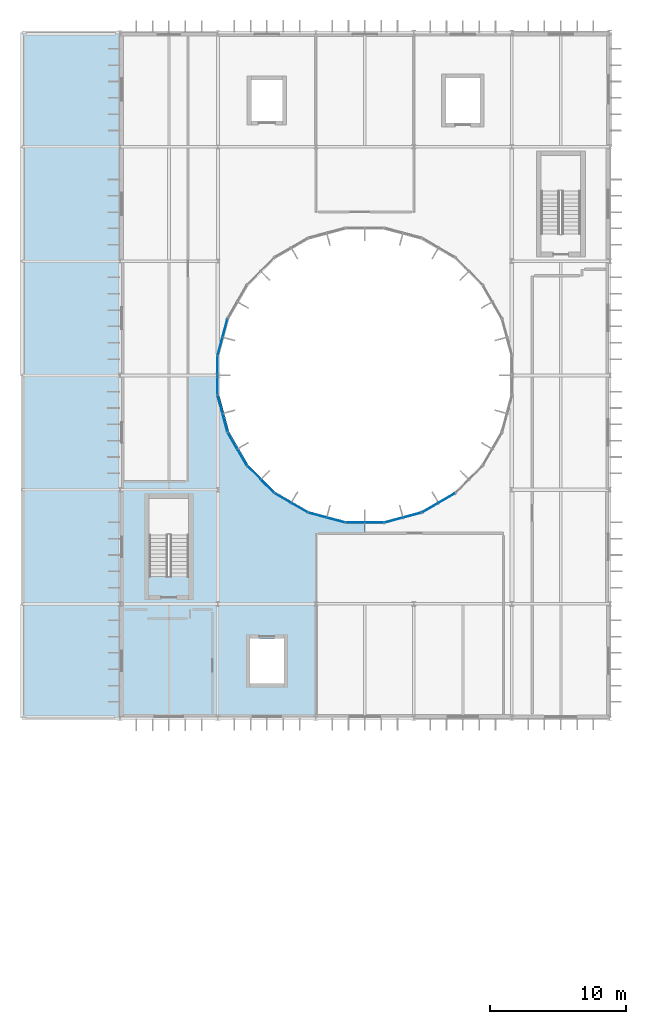
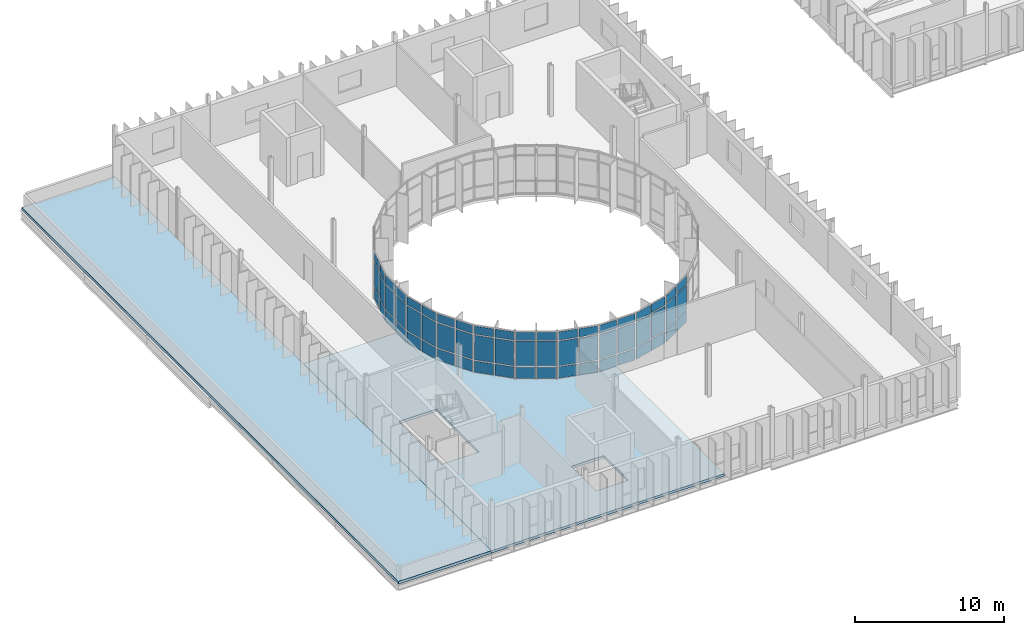
# One storey, part 28 of 52: 60 plates, 2 slabs, 10 elements without a shape of their own.
"""IFC4 building model written with IfcOpenShell, lengths in metres."""

from ifc_helpers import new_model, si_unit, direction, frame, origin, origin_2d, place, context, subcontext, project, spatial, polyline, rectangle, outline, extrude, material, layer, layer_set, type_object, element, aggregate, save


model = new_model("IFC4")

# Units and contexts
model_context = context("Model", 3, precision=1e-05, world=origin(), true_north=direction((0.0, 1.0)))
body_context = subcontext(model_context, "Body", "Model", "MODEL_VIEW")
ifc_project = project(units=[si_unit("LENGTHUNIT", "METRE"), si_unit("AREAUNIT", "SQUARE_METRE"), si_unit("VOLUMEUNIT", "CUBIC_METRE"), si_unit("PLANEANGLEUNIT", "RADIAN"), si_unit("MASSUNIT", "GRAM", prefix="KILO")], contexts=[model_context])

# Site, building, storey
site_placement = place(None, origin())
site = spatial("IfcSite", under=ifc_project, at=site_placement, CompositionType="ELEMENT")
building_placement = place(site_placement, origin())
building = spatial("IfcBuilding", under=site, at=building_placement, Name="Qelthora Terrace Specialist Clinic", CompositionType="ELEMENT")
storey_placement = place(building_placement, frame((0.0, 0.0, 17.39990234375)))
storey = spatial("IfcBuildingStorey", under=building, at=storey_placement, Name="L04", CompositionType="ELEMENT", Elevation=17.39990234375)

# Curtain wall, plates
ifc_material_1 = material(Name="Aluminium anodized bronze", Category="aluminium")
curtain_wall_type = type_object("IfcCurtainWallType", Name="CW-CRTW-UPP", PredefinedType="NOTDEFINED", material=ifc_material_1)
curtain_wall_1_placement = place(storey_placement, origin())
curtain_wall_1 = element("IfcCurtainWall", 1, at=curtain_wall_1_placement, inside=storey, type_object=curtain_wall_type, Name="Curtain wall CW-CW-L04-11", PredefinedType="NOTDEFINED")
ifc_material_2 = material(Name="Low-E triple-silver insulating glass", Category="glass")
ifc_layer_1 = layer(ifc_material_2, 0.035888671875)
ifc_layer_set_1 = layer_set([ifc_layer_1], Name="Low-E triple-silver insulating glass")
plate_type = type_object("IfcPlateType", Name="CWP-IGU-36", PredefinedType="CURTAIN_PANEL", material=ifc_layer_set_1)
plate_1_placement = place(storey_placement, frame((14.923828125, 87.483154296875, 0.085205078125), z_axis=(0.0, 0.0, 1.0), x_axis=(-0.258820730961, -0.965925374563, 0.0)))
plate_1 = element("IfcPlate", 2, at=plate_1_placement, type_object=plate_type, Name="CW-CW-L04-11 glazed panel 1", PredefinedType="CURTAIN_PANEL", context=body_context, shape_type="SweptSolid", body=[
    extrude(rectangle(XDim=1.3095703125, YDim=0.035888671875, at=origin_2d()), origin(), (0.0, 0.0, 1.0), 0.919921875),
])
plate_2_placement = place(storey_placement, frame((14.923828125, 87.483154296875, 1.09521484375), z_axis=(0.0, 0.0, 1.0), x_axis=(-0.258820730961, -0.965925374563, 0.0)))
plate_2 = element("IfcPlate", 3, at=plate_2_placement, type_object=plate_type, Name="CW-CW-L04-11 glazed panel 2", PredefinedType="CURTAIN_PANEL", context=body_context, shape_type="SweptSolid", body=[
    extrude(rectangle(XDim=1.3095703125, YDim=0.035888671875, at=origin_2d()), origin(), (0.0, 0.0, 1.0), 2.0048828125),
])
plate_3_placement = place(storey_placement, frame((14.923828125, 87.483154296875, 3.190185546875), z_axis=(0.0, 0.0, 1.0), x_axis=(-0.258820730961, -0.965925374563, 0.0)))
plate_3 = element("IfcPlate", 4, at=plate_3_placement, type_object=plate_type, Name="CW-CW-L04-11 glazed panel 3", PredefinedType="CURTAIN_PANEL", context=body_context, shape_type="SweptSolid", body=[
    extrude(rectangle(XDim=1.3095703125, YDim=0.035888671875, at=origin_2d()), origin(), (0.0, 0.0, 1.0), 0.669921875),
])
plate_4_placement = place(storey_placement, frame((14.558837890625, 86.12158203125, 0.085205078125), z_axis=(0.0, 0.0, 1.0), x_axis=(-0.258820730961, -0.965925374563, 0.0)))
plate_4 = element("IfcPlate", 5, at=plate_4_placement, type_object=plate_type, Name="CW-CW-L04-11 glazed panel 4", PredefinedType="CURTAIN_PANEL", context=body_context, shape_type="SweptSolid", body=[
    extrude(rectangle(XDim=1.3095703125, YDim=0.035888671875, at=origin_2d()), origin(), (0.0, 0.0, 1.0), 0.919921875),
])
plate_5_placement = place(storey_placement, frame((14.558837890625, 86.12158203125, 1.09521484375), z_axis=(0.0, 0.0, 1.0), x_axis=(-0.258820730961, -0.965925374563, 0.0)))
plate_5 = element("IfcPlate", 6, at=plate_5_placement, type_object=plate_type, Name="CW-CW-L04-11 glazed panel 5", PredefinedType="CURTAIN_PANEL", context=body_context, shape_type="SweptSolid", body=[
    extrude(rectangle(XDim=1.3095703125, YDim=0.035888671875, at=origin_2d()), origin(), (0.0, 0.0, 1.0), 2.0048828125),
])
plate_6_placement = place(storey_placement, frame((14.558837890625, 86.12158203125, 3.190185546875), z_axis=(0.0, 0.0, 1.0), x_axis=(-0.258820730961, -0.965925374563, 0.0)))
plate_6 = element("IfcPlate", 7, at=plate_6_placement, type_object=plate_type, Name="CW-CW-L04-11 glazed panel 6", PredefinedType="CURTAIN_PANEL", context=body_context, shape_type="SweptSolid", body=[
    extrude(rectangle(XDim=1.3095703125, YDim=0.035888671875, at=origin_2d()), origin(), (0.0, 0.0, 1.0), 0.669921875),
])
aggregate(curtain_wall_1, [plate_1, plate_2, plate_3, plate_4, plate_5, plate_6])

curtain_wall_2_placement = place(storey_placement, origin())
curtain_wall_2 = element("IfcCurtainWall", 8, at=curtain_wall_2_placement, inside=storey, type_object=curtain_wall_type, Name="Curtain wall CW-CW-L04-12", PredefinedType="NOTDEFINED")
plate_7_placement = place(storey_placement, frame((14.372314453125, 84.704833984375, 0.085205078125), z_axis=(0.0, 0.0, 1.0), x_axis=(0.0, -1.0, 0.0)))
plate_7 = element("IfcPlate", 9, at=plate_7_placement, type_object=plate_type, Name="CW-CW-L04-12 glazed panel 1", PredefinedType="CURTAIN_PANEL", context=body_context, shape_type="SweptSolid", body=[
    extrude(rectangle(XDim=1.3095703125, YDim=0.035888671875, at=origin_2d()), origin(), (0.0, 0.0, 1.0), 0.919921875),
])
plate_8_placement = place(storey_placement, frame((14.372314453125, 84.704833984375, 1.09521484375), z_axis=(0.0, 0.0, 1.0), x_axis=(0.0, -1.0, 0.0)))
plate_8 = element("IfcPlate", 10, at=plate_8_placement, type_object=plate_type, Name="CW-CW-L04-12 glazed panel 2", PredefinedType="CURTAIN_PANEL", context=body_context, shape_type="SweptSolid", body=[
    extrude(rectangle(XDim=1.3095703125, YDim=0.035888671875, at=origin_2d()), origin(), (0.0, 0.0, 1.0), 2.0048828125),
])
plate_9_placement = place(storey_placement, frame((14.372314453125, 84.704833984375, 3.190185546875), z_axis=(0.0, 0.0, 1.0), x_axis=(0.0, -1.0, 0.0)))
plate_9 = element("IfcPlate", 11, at=plate_9_placement, type_object=plate_type, Name="CW-CW-L04-12 glazed panel 3", PredefinedType="CURTAIN_PANEL", context=body_context, shape_type="SweptSolid", body=[
    extrude(rectangle(XDim=1.3095703125, YDim=0.035888671875, at=origin_2d()), origin(), (0.0, 0.0, 1.0), 0.669921875),
])
plate_10_placement = place(storey_placement, frame((14.372314453125, 83.295166015625, 0.085205078125), z_axis=(0.0, 0.0, 1.0), x_axis=(0.0, -1.0, 0.0)))
plate_10 = element("IfcPlate", 12, at=plate_10_placement, type_object=plate_type, Name="CW-CW-L04-12 glazed panel 4", PredefinedType="CURTAIN_PANEL", context=body_context, shape_type="SweptSolid", body=[
    extrude(rectangle(XDim=1.3095703125, YDim=0.035888671875, at=origin_2d()), origin(), (0.0, 0.0, 1.0), 0.919921875),
])
plate_11_placement = place(storey_placement, frame((14.372314453125, 83.295166015625, 1.09521484375), z_axis=(0.0, 0.0, 1.0), x_axis=(0.0, -1.0, 0.0)))
plate_11 = element("IfcPlate", 13, at=plate_11_placement, type_object=plate_type, Name="CW-CW-L04-12 glazed panel 5", PredefinedType="CURTAIN_PANEL", context=body_context, shape_type="SweptSolid", body=[
    extrude(rectangle(XDim=1.3095703125, YDim=0.035888671875, at=origin_2d()), origin(), (0.0, 0.0, 1.0), 2.0048828125),
])
plate_12_placement = place(storey_placement, frame((14.372314453125, 83.295166015625, 3.190185546875), z_axis=(0.0, 0.0, 1.0), x_axis=(0.0, -1.0, 0.0)))
plate_12 = element("IfcPlate", 14, at=plate_12_placement, type_object=plate_type, Name="CW-CW-L04-12 glazed panel 6", PredefinedType="CURTAIN_PANEL", context=body_context, shape_type="SweptSolid", body=[
    extrude(rectangle(XDim=1.3095703125, YDim=0.035888671875, at=origin_2d()), origin(), (0.0, 0.0, 1.0), 0.669921875),
])
aggregate(curtain_wall_2, [plate_7, plate_8, plate_9, plate_10, plate_11, plate_12])

curtain_wall_3_placement = place(storey_placement, origin())
curtain_wall_3 = element("IfcCurtainWall", 15, at=curtain_wall_3_placement, inside=storey, type_object=curtain_wall_type, Name="Curtain wall CW-CW-L04-13", PredefinedType="NOTDEFINED")
plate_13_placement = place(storey_placement, frame((14.558837890625, 81.87841796875, 0.085205078125), z_axis=(0.0, 0.0, 1.0), x_axis=(0.258820730961, -0.965925374563, 0.0)))
plate_13 = element("IfcPlate", 16, at=plate_13_placement, type_object=plate_type, Name="CW-CW-L04-13 glazed panel 1", PredefinedType="CURTAIN_PANEL", context=body_context, shape_type="SweptSolid", body=[
    extrude(rectangle(XDim=1.3095703125, YDim=0.035888671875, at=origin_2d()), origin(), (0.0, 0.0, 1.0), 0.919921875),
])
plate_14_placement = place(storey_placement, frame((14.558837890625, 81.87841796875, 1.09521484375), z_axis=(0.0, 0.0, 1.0), x_axis=(0.258820730961, -0.965925374563, 0.0)))
plate_14 = element("IfcPlate", 17, at=plate_14_placement, type_object=plate_type, Name="CW-CW-L04-13 glazed panel 2", PredefinedType="CURTAIN_PANEL", context=body_context, shape_type="SweptSolid", body=[
    extrude(rectangle(XDim=1.3095703125, YDim=0.035888671875, at=origin_2d()), origin(), (0.0, 0.0, 1.0), 2.0048828125),
])
plate_15_placement = place(storey_placement, frame((14.558837890625, 81.87841796875, 3.190185546875), z_axis=(0.0, 0.0, 1.0), x_axis=(0.258820730961, -0.965925374563, 0.0)))
plate_15 = element("IfcPlate", 18, at=plate_15_placement, type_object=plate_type, Name="CW-CW-L04-13 glazed panel 3", PredefinedType="CURTAIN_PANEL", context=body_context, shape_type="SweptSolid", body=[
    extrude(rectangle(XDim=1.3095703125, YDim=0.035888671875, at=origin_2d()), origin(), (0.0, 0.0, 1.0), 0.669921875),
])
plate_16_placement = place(storey_placement, frame((14.923828125, 80.516845703125, 0.085205078125), z_axis=(0.0, 0.0, 1.0), x_axis=(0.258820730961, -0.965925374563, 0.0)))
plate_16 = element("IfcPlate", 19, at=plate_16_placement, type_object=plate_type, Name="CW-CW-L04-13 glazed panel 4", PredefinedType="CURTAIN_PANEL", context=body_context, shape_type="SweptSolid", body=[
    extrude(rectangle(XDim=1.3095703125, YDim=0.035888671875, at=origin_2d()), origin(), (0.0, 0.0, 1.0), 0.919921875),
])
plate_17_placement = place(storey_placement, frame((14.923828125, 80.516845703125, 1.09521484375), z_axis=(0.0, 0.0, 1.0), x_axis=(0.258820730961, -0.965925374563, 0.0)))
plate_17 = element("IfcPlate", 20, at=plate_17_placement, type_object=plate_type, Name="CW-CW-L04-13 glazed panel 5", PredefinedType="CURTAIN_PANEL", context=body_context, shape_type="SweptSolid", body=[
    extrude(rectangle(XDim=1.3095703125, YDim=0.035888671875, at=origin_2d()), origin(), (0.0, 0.0, 1.0), 2.0048828125),
])
plate_18_placement = place(storey_placement, frame((14.923828125, 80.516845703125, 3.190185546875), z_axis=(0.0, 0.0, 1.0), x_axis=(0.258820730961, -0.965925374563, 0.0)))
plate_18 = element("IfcPlate", 21, at=plate_18_placement, type_object=plate_type, Name="CW-CW-L04-13 glazed panel 6", PredefinedType="CURTAIN_PANEL", context=body_context, shape_type="SweptSolid", body=[
    extrude(rectangle(XDim=1.3095703125, YDim=0.035888671875, at=origin_2d()), origin(), (0.0, 0.0, 1.0), 0.669921875),
])
aggregate(curtain_wall_3, [plate_13, plate_14, plate_15, plate_16, plate_17, plate_18])

curtain_wall_4_placement = place(storey_placement, origin())
curtain_wall_4 = element("IfcCurtainWall", 22, at=curtain_wall_4_placement, inside=storey, type_object=curtain_wall_type, Name="Curtain wall CW-CW-L04-14", PredefinedType="NOTDEFINED")
plate_19_placement = place(storey_placement, frame((15.470703125, 79.196533203125, 0.085205078125), z_axis=(0.0, 0.0, 1.0), x_axis=(0.5, -0.866025403784, 0.0)))
plate_19 = element("IfcPlate", 23, at=plate_19_placement, type_object=plate_type, Name="CW-CW-L04-14 glazed panel 1", PredefinedType="CURTAIN_PANEL", context=body_context, shape_type="SweptSolid", body=[
    extrude(rectangle(XDim=1.3095703125, YDim=0.035888671875, at=origin_2d()), origin(), (0.0, 0.0, 1.0), 0.919921875),
])
plate_20_placement = place(storey_placement, frame((15.470703125, 79.196533203125, 1.09521484375), z_axis=(0.0, 0.0, 1.0), x_axis=(0.5, -0.866025403784, 0.0)))
plate_20 = element("IfcPlate", 24, at=plate_20_placement, type_object=plate_type, Name="CW-CW-L04-14 glazed panel 2", PredefinedType="CURTAIN_PANEL", context=body_context, shape_type="SweptSolid", body=[
    extrude(rectangle(XDim=1.3095703125, YDim=0.035888671875, at=origin_2d()), origin(), (0.0, 0.0, 1.0), 2.0048828125),
])
plate_21_placement = place(storey_placement, frame((15.470703125, 79.196533203125, 3.190185546875), z_axis=(0.0, 0.0, 1.0), x_axis=(0.5, -0.866025403784, 0.0)))
plate_21 = element("IfcPlate", 25, at=plate_21_placement, type_object=plate_type, Name="CW-CW-L04-14 glazed panel 3", PredefinedType="CURTAIN_PANEL", context=body_context, shape_type="SweptSolid", body=[
    extrude(rectangle(XDim=1.3095703125, YDim=0.035888671875, at=origin_2d()), origin(), (0.0, 0.0, 1.0), 0.669921875),
])
plate_22_placement = place(storey_placement, frame((16.175537109375, 77.975830078125, 0.085205078125), z_axis=(0.0, 0.0, 1.0), x_axis=(0.5, -0.866025403784, 0.0)))
plate_22 = element("IfcPlate", 26, at=plate_22_placement, type_object=plate_type, Name="CW-CW-L04-14 glazed panel 4", PredefinedType="CURTAIN_PANEL", context=body_context, shape_type="SweptSolid", body=[
    extrude(rectangle(XDim=1.3095703125, YDim=0.035888671875, at=origin_2d()), origin(), (0.0, 0.0, 1.0), 0.919921875),
])
plate_23_placement = place(storey_placement, frame((16.175537109375, 77.975830078125, 1.09521484375), z_axis=(0.0, 0.0, 1.0), x_axis=(0.5, -0.866025403784, 0.0)))
plate_23 = element("IfcPlate", 27, at=plate_23_placement, type_object=plate_type, Name="CW-CW-L04-14 glazed panel 5", PredefinedType="CURTAIN_PANEL", context=body_context, shape_type="SweptSolid", body=[
    extrude(rectangle(XDim=1.3095703125, YDim=0.035888671875, at=origin_2d()), origin(), (0.0, 0.0, 1.0), 2.0048828125),
])
plate_24_placement = place(storey_placement, frame((16.175537109375, 77.975830078125, 3.190185546875), z_axis=(0.0, 0.0, 1.0), x_axis=(0.5, -0.866025403784, 0.0)))
plate_24 = element("IfcPlate", 28, at=plate_24_placement, type_object=plate_type, Name="CW-CW-L04-14 glazed panel 6", PredefinedType="CURTAIN_PANEL", context=body_context, shape_type="SweptSolid", body=[
    extrude(rectangle(XDim=1.3095703125, YDim=0.035888671875, at=origin_2d()), origin(), (0.0, 0.0, 1.0), 0.669921875),
])
aggregate(curtain_wall_4, [plate_19, plate_20, plate_21, plate_22, plate_23, plate_24])

curtain_wall_5_placement = place(storey_placement, origin())
curtain_wall_5 = element("IfcCurtainWall", 29, at=curtain_wall_5_placement, inside=storey, type_object=curtain_wall_type, Name="Curtain wall CW-CW-L04-15", PredefinedType="NOTDEFINED")
plate_25_placement = place(storey_placement, frame((17.04541015625, 76.842041015625, 0.085205078125), z_axis=(0.0, 0.0, 1.0), x_axis=(0.707106781187, -0.707106781187, 0.0)))
plate_25 = element("IfcPlate", 30, at=plate_25_placement, type_object=plate_type, Name="CW-CW-L04-15 glazed panel 1", PredefinedType="CURTAIN_PANEL", context=body_context, shape_type="SweptSolid", body=[
    extrude(rectangle(XDim=1.3095703125, YDim=0.035888671875, at=origin_2d()), origin(), (0.0, 0.0, 1.0), 0.919921875),
])
plate_26_placement = place(storey_placement, frame((17.04541015625, 76.842041015625, 1.09521484375), z_axis=(0.0, 0.0, 1.0), x_axis=(0.707106781187, -0.707106781187, 0.0)))
plate_26 = element("IfcPlate", 31, at=plate_26_placement, type_object=plate_type, Name="CW-CW-L04-15 glazed panel 2", PredefinedType="CURTAIN_PANEL", context=body_context, shape_type="SweptSolid", body=[
    extrude(rectangle(XDim=1.3095703125, YDim=0.035888671875, at=origin_2d()), origin(), (0.0, 0.0, 1.0), 2.0048828125),
])
plate_27_placement = place(storey_placement, frame((17.04541015625, 76.842041015625, 3.190185546875), z_axis=(0.0, 0.0, 1.0), x_axis=(0.707106781187, -0.707106781187, 0.0)))
plate_27 = element("IfcPlate", 32, at=plate_27_placement, type_object=plate_type, Name="CW-CW-L04-15 glazed panel 3", PredefinedType="CURTAIN_PANEL", context=body_context, shape_type="SweptSolid", body=[
    extrude(rectangle(XDim=1.3095703125, YDim=0.035888671875, at=origin_2d()), origin(), (0.0, 0.0, 1.0), 0.669921875),
])
plate_28_placement = place(storey_placement, frame((18.042236328125, 75.84521484375, 0.085205078125), z_axis=(0.0, 0.0, 1.0), x_axis=(0.707106781187, -0.707106781187, 0.0)))
plate_28 = element("IfcPlate", 33, at=plate_28_placement, type_object=plate_type, Name="CW-CW-L04-15 glazed panel 4", PredefinedType="CURTAIN_PANEL", context=body_context, shape_type="SweptSolid", body=[
    extrude(rectangle(XDim=1.3095703125, YDim=0.035888671875, at=origin_2d()), origin(), (0.0, 0.0, 1.0), 0.919921875),
])
plate_29_placement = place(storey_placement, frame((18.042236328125, 75.84521484375, 1.09521484375), z_axis=(0.0, 0.0, 1.0), x_axis=(0.707106781187, -0.707106781187, 0.0)))
plate_29 = element("IfcPlate", 34, at=plate_29_placement, type_object=plate_type, Name="CW-CW-L04-15 glazed panel 5", PredefinedType="CURTAIN_PANEL", context=body_context, shape_type="SweptSolid", body=[
    extrude(rectangle(XDim=1.3095703125, YDim=0.035888671875, at=origin_2d()), origin(), (0.0, 0.0, 1.0), 2.0048828125),
])
plate_30_placement = place(storey_placement, frame((18.042236328125, 75.84521484375, 3.190185546875), z_axis=(0.0, 0.0, 1.0), x_axis=(0.707106781187, -0.707106781187, 0.0)))
plate_30 = element("IfcPlate", 35, at=plate_30_placement, type_object=plate_type, Name="CW-CW-L04-15 glazed panel 6", PredefinedType="CURTAIN_PANEL", context=body_context, shape_type="SweptSolid", body=[
    extrude(rectangle(XDim=1.3095703125, YDim=0.035888671875, at=origin_2d()), origin(), (0.0, 0.0, 1.0), 0.669921875),
])
aggregate(curtain_wall_5, [plate_25, plate_26, plate_27, plate_28, plate_29, plate_30])

curtain_wall_6_placement = place(storey_placement, origin())
curtain_wall_6 = element("IfcCurtainWall", 36, at=curtain_wall_6_placement, inside=storey, type_object=curtain_wall_type, Name="Curtain wall CW-CW-L04-16", PredefinedType="NOTDEFINED")
plate_31_placement = place(storey_placement, frame((19.17578125, 74.975341796875, 0.085205078125), z_axis=(0.0, 0.0, 1.0), x_axis=(0.866025403784, -0.5, 0.0)))
plate_31 = element("IfcPlate", 37, at=plate_31_placement, type_object=plate_type, Name="CW-CW-L04-16 glazed panel 1", PredefinedType="CURTAIN_PANEL", context=body_context, shape_type="SweptSolid", body=[
    extrude(rectangle(XDim=1.3095703125, YDim=0.035888671875, at=origin_2d()), origin(), (0.0, 0.0, 1.0), 0.919921875),
])
plate_32_placement = place(storey_placement, frame((19.17578125, 74.975341796875, 1.09521484375), z_axis=(0.0, 0.0, 1.0), x_axis=(0.866025403784, -0.5, 0.0)))
plate_32 = element("IfcPlate", 38, at=plate_32_placement, type_object=plate_type, Name="CW-CW-L04-16 glazed panel 2", PredefinedType="CURTAIN_PANEL", context=body_context, shape_type="SweptSolid", body=[
    extrude(rectangle(XDim=1.3095703125, YDim=0.035888671875, at=origin_2d()), origin(), (0.0, 0.0, 1.0), 2.0048828125),
])
plate_33_placement = place(storey_placement, frame((19.17578125, 74.975341796875, 3.190185546875), z_axis=(0.0, 0.0, 1.0), x_axis=(0.866025403784, -0.5, 0.0)))
plate_33 = element("IfcPlate", 39, at=plate_33_placement, type_object=plate_type, Name="CW-CW-L04-16 glazed panel 3", PredefinedType="CURTAIN_PANEL", context=body_context, shape_type="SweptSolid", body=[
    extrude(rectangle(XDim=1.3095703125, YDim=0.035888671875, at=origin_2d()), origin(), (0.0, 0.0, 1.0), 0.669921875),
])
plate_34_placement = place(storey_placement, frame((20.396728515625, 74.2705078125, 0.085205078125), z_axis=(0.0, 0.0, 1.0), x_axis=(0.866025403784, -0.5, 0.0)))
plate_34 = element("IfcPlate", 40, at=plate_34_placement, type_object=plate_type, Name="CW-CW-L04-16 glazed panel 4", PredefinedType="CURTAIN_PANEL", context=body_context, shape_type="SweptSolid", body=[
    extrude(rectangle(XDim=1.3095703125, YDim=0.035888671875, at=origin_2d()), origin(), (0.0, 0.0, 1.0), 0.919921875),
])
plate_35_placement = place(storey_placement, frame((20.396728515625, 74.2705078125, 1.09521484375), z_axis=(0.0, 0.0, 1.0), x_axis=(0.866025403784, -0.5, 0.0)))
plate_35 = element("IfcPlate", 41, at=plate_35_placement, type_object=plate_type, Name="CW-CW-L04-16 glazed panel 5", PredefinedType="CURTAIN_PANEL", context=body_context, shape_type="SweptSolid", body=[
    extrude(rectangle(XDim=1.3095703125, YDim=0.035888671875, at=origin_2d()), origin(), (0.0, 0.0, 1.0), 2.0048828125),
])
plate_36_placement = place(storey_placement, frame((20.396728515625, 74.2705078125, 3.190185546875), z_axis=(0.0, 0.0, 1.0), x_axis=(0.866025403784, -0.5, 0.0)))
plate_36 = element("IfcPlate", 42, at=plate_36_placement, type_object=plate_type, Name="CW-CW-L04-16 glazed panel 6", PredefinedType="CURTAIN_PANEL", context=body_context, shape_type="SweptSolid", body=[
    extrude(rectangle(XDim=1.3095703125, YDim=0.035888671875, at=origin_2d()), origin(), (0.0, 0.0, 1.0), 0.669921875),
])
aggregate(curtain_wall_6, [plate_31, plate_32, plate_33, plate_34, plate_35, plate_36])

curtain_wall_7_placement = place(storey_placement, origin())
curtain_wall_7 = element("IfcCurtainWall", 43, at=curtain_wall_7_placement, inside=storey, type_object=curtain_wall_type, Name="Curtain wall CW-CW-L04-17", PredefinedType="NOTDEFINED")
plate_37_placement = place(storey_placement, frame((21.716796875, 73.723876953125, 0.085205078125), z_axis=(0.0, 0.0, 1.0), x_axis=(0.965925374563, -0.258820730961, 0.0)))
plate_37 = element("IfcPlate", 44, at=plate_37_placement, type_object=plate_type, Name="CW-CW-L04-17 glazed panel 1", PredefinedType="CURTAIN_PANEL", context=body_context, shape_type="SweptSolid", body=[
    extrude(rectangle(XDim=1.3095703125, YDim=0.035888671875, at=origin_2d()), origin(), (0.0, 0.0, 1.0), 0.919921875),
])
plate_38_placement = place(storey_placement, frame((21.716796875, 73.723876953125, 1.09521484375), z_axis=(0.0, 0.0, 1.0), x_axis=(0.965925374563, -0.258820730961, 0.0)))
plate_38 = element("IfcPlate", 45, at=plate_38_placement, type_object=plate_type, Name="CW-CW-L04-17 glazed panel 2", PredefinedType="CURTAIN_PANEL", context=body_context, shape_type="SweptSolid", body=[
    extrude(rectangle(XDim=1.3095703125, YDim=0.035888671875, at=origin_2d()), origin(), (0.0, 0.0, 1.0), 2.0048828125),
])
plate_39_placement = place(storey_placement, frame((21.716796875, 73.723876953125, 3.190185546875), z_axis=(0.0, 0.0, 1.0), x_axis=(0.965925374563, -0.258820730961, 0.0)))
plate_39 = element("IfcPlate", 46, at=plate_39_placement, type_object=plate_type, Name="CW-CW-L04-17 glazed panel 3", PredefinedType="CURTAIN_PANEL", context=body_context, shape_type="SweptSolid", body=[
    extrude(rectangle(XDim=1.3095703125, YDim=0.035888671875, at=origin_2d()), origin(), (0.0, 0.0, 1.0), 0.669921875),
])
plate_40_placement = place(storey_placement, frame((23.078369140625, 73.35888671875, 0.085205078125), z_axis=(0.0, 0.0, 1.0), x_axis=(0.965925374563, -0.258820730961, 0.0)))
plate_40 = element("IfcPlate", 47, at=plate_40_placement, type_object=plate_type, Name="CW-CW-L04-17 glazed panel 4", PredefinedType="CURTAIN_PANEL", context=body_context, shape_type="SweptSolid", body=[
    extrude(rectangle(XDim=1.3095703125, YDim=0.035888671875, at=origin_2d()), origin(), (0.0, 0.0, 1.0), 0.919921875),
])
plate_41_placement = place(storey_placement, frame((23.078369140625, 73.35888671875, 1.09521484375), z_axis=(0.0, 0.0, 1.0), x_axis=(0.965925374563, -0.258820730961, 0.0)))
plate_41 = element("IfcPlate", 48, at=plate_41_placement, type_object=plate_type, Name="CW-CW-L04-17 glazed panel 5", PredefinedType="CURTAIN_PANEL", context=body_context, shape_type="SweptSolid", body=[
    extrude(rectangle(XDim=1.3095703125, YDim=0.035888671875, at=origin_2d()), origin(), (0.0, 0.0, 1.0), 2.0048828125),
])
plate_42_placement = place(storey_placement, frame((23.078369140625, 73.35888671875, 3.190185546875), z_axis=(0.0, 0.0, 1.0), x_axis=(0.965925374563, -0.258820730961, 0.0)))
plate_42 = element("IfcPlate", 49, at=plate_42_placement, type_object=plate_type, Name="CW-CW-L04-17 glazed panel 6", PredefinedType="CURTAIN_PANEL", context=body_context, shape_type="SweptSolid", body=[
    extrude(rectangle(XDim=1.3095703125, YDim=0.035888671875, at=origin_2d()), origin(), (0.0, 0.0, 1.0), 0.669921875),
])
aggregate(curtain_wall_7, [plate_37, plate_38, plate_39, plate_40, plate_41, plate_42])

curtain_wall_8_placement = place(storey_placement, origin())
curtain_wall_8 = element("IfcCurtainWall", 50, at=curtain_wall_8_placement, inside=storey, type_object=curtain_wall_type, Name="Curtain wall CW-CW-L04-18", PredefinedType="NOTDEFINED")
plate_43_placement = place(storey_placement, frame((24.4951171875, 73.17236328125, 0.085205078125), z_axis=(0.0, 0.0, 1.0), x_axis=(1.0, 0.0, 0.0)))
plate_43 = element("IfcPlate", 51, at=plate_43_placement, type_object=plate_type, Name="CW-CW-L04-18 glazed panel 1", PredefinedType="CURTAIN_PANEL", context=body_context, shape_type="SweptSolid", body=[
    extrude(rectangle(XDim=1.3095703125, YDim=0.035888671875, at=origin_2d()), origin(), (0.0, 0.0, 1.0), 0.919921875),
])
plate_44_placement = place(storey_placement, frame((24.4951171875, 73.17236328125, 1.09521484375), z_axis=(0.0, 0.0, 1.0), x_axis=(1.0, 0.0, 0.0)))
plate_44 = element("IfcPlate", 52, at=plate_44_placement, type_object=plate_type, Name="CW-CW-L04-18 glazed panel 2", PredefinedType="CURTAIN_PANEL", context=body_context, shape_type="SweptSolid", body=[
    extrude(rectangle(XDim=1.3095703125, YDim=0.035888671875, at=origin_2d()), origin(), (0.0, 0.0, 1.0), 2.0048828125),
])
plate_45_placement = place(storey_placement, frame((24.4951171875, 73.17236328125, 3.190185546875), z_axis=(0.0, 0.0, 1.0), x_axis=(1.0, 0.0, 0.0)))
plate_45 = element("IfcPlate", 53, at=plate_45_placement, type_object=plate_type, Name="CW-CW-L04-18 glazed panel 3", PredefinedType="CURTAIN_PANEL", context=body_context, shape_type="SweptSolid", body=[
    extrude(rectangle(XDim=1.3095703125, YDim=0.035888671875, at=origin_2d()), origin(), (0.0, 0.0, 1.0), 0.669921875),
])
plate_46_placement = place(storey_placement, frame((25.90478515625, 73.17236328125, 0.085205078125), z_axis=(0.0, 0.0, 1.0), x_axis=(1.0, 0.0, 0.0)))
plate_46 = element("IfcPlate", 54, at=plate_46_placement, type_object=plate_type, Name="CW-CW-L04-18 glazed panel 4", PredefinedType="CURTAIN_PANEL", context=body_context, shape_type="SweptSolid", body=[
    extrude(rectangle(XDim=1.3095703125, YDim=0.035888671875, at=origin_2d()), origin(), (0.0, 0.0, 1.0), 0.919921875),
])
plate_47_placement = place(storey_placement, frame((25.90478515625, 73.17236328125, 1.09521484375), z_axis=(0.0, 0.0, 1.0), x_axis=(1.0, 0.0, 0.0)))
plate_47 = element("IfcPlate", 55, at=plate_47_placement, type_object=plate_type, Name="CW-CW-L04-18 glazed panel 5", PredefinedType="CURTAIN_PANEL", context=body_context, shape_type="SweptSolid", body=[
    extrude(rectangle(XDim=1.3095703125, YDim=0.035888671875, at=origin_2d()), origin(), (0.0, 0.0, 1.0), 2.0048828125),
])
plate_48_placement = place(storey_placement, frame((25.90478515625, 73.17236328125, 3.190185546875), z_axis=(0.0, 0.0, 1.0), x_axis=(1.0, 0.0, 0.0)))
plate_48 = element("IfcPlate", 56, at=plate_48_placement, type_object=plate_type, Name="CW-CW-L04-18 glazed panel 6", PredefinedType="CURTAIN_PANEL", context=body_context, shape_type="SweptSolid", body=[
    extrude(rectangle(XDim=1.3095703125, YDim=0.035888671875, at=origin_2d()), origin(), (0.0, 0.0, 1.0), 0.669921875),
])
aggregate(curtain_wall_8, [plate_43, plate_44, plate_45, plate_46, plate_47, plate_48])

curtain_wall_9_placement = place(storey_placement, origin())
curtain_wall_9 = element("IfcCurtainWall", 57, at=curtain_wall_9_placement, inside=storey, type_object=curtain_wall_type, Name="Curtain wall CW-CW-L04-19", PredefinedType="NOTDEFINED")
plate_49_placement = place(storey_placement, frame((27.321533203125, 73.35888671875, 0.085205078125), z_axis=(0.0, 0.0, 1.0), x_axis=(0.965925374563, 0.258820730961, 0.0)))
plate_49 = element("IfcPlate", 58, at=plate_49_placement, type_object=plate_type, Name="CW-CW-L04-19 glazed panel 1", PredefinedType="CURTAIN_PANEL", context=body_context, shape_type="SweptSolid", body=[
    extrude(rectangle(XDim=1.3095703125, YDim=0.035888671875, at=origin_2d()), origin(), (0.0, 0.0, 1.0), 0.919921875),
])
plate_50_placement = place(storey_placement, frame((27.321533203125, 73.35888671875, 1.09521484375), z_axis=(0.0, 0.0, 1.0), x_axis=(0.965925374563, 0.258820730961, 0.0)))
plate_50 = element("IfcPlate", 59, at=plate_50_placement, type_object=plate_type, Name="CW-CW-L04-19 glazed panel 2", PredefinedType="CURTAIN_PANEL", context=body_context, shape_type="SweptSolid", body=[
    extrude(rectangle(XDim=1.3095703125, YDim=0.035888671875, at=origin_2d()), origin(), (0.0, 0.0, 1.0), 2.0048828125),
])
plate_51_placement = place(storey_placement, frame((27.321533203125, 73.35888671875, 3.190185546875), z_axis=(0.0, 0.0, 1.0), x_axis=(0.965925374563, 0.258820730961, 0.0)))
plate_51 = element("IfcPlate", 60, at=plate_51_placement, type_object=plate_type, Name="CW-CW-L04-19 glazed panel 3", PredefinedType="CURTAIN_PANEL", context=body_context, shape_type="SweptSolid", body=[
    extrude(rectangle(XDim=1.3095703125, YDim=0.035888671875, at=origin_2d()), origin(), (0.0, 0.0, 1.0), 0.669921875),
])
plate_52_placement = place(storey_placement, frame((28.68310546875, 73.723876953125, 0.085205078125), z_axis=(0.0, 0.0, 1.0), x_axis=(0.965925374563, 0.258820730961, 0.0)))
plate_52 = element("IfcPlate", 61, at=plate_52_placement, type_object=plate_type, Name="CW-CW-L04-19 glazed panel 4", PredefinedType="CURTAIN_PANEL", context=body_context, shape_type="SweptSolid", body=[
    extrude(rectangle(XDim=1.3095703125, YDim=0.035888671875, at=origin_2d()), origin(), (0.0, 0.0, 1.0), 0.919921875),
])
plate_53_placement = place(storey_placement, frame((28.68310546875, 73.723876953125, 1.09521484375), z_axis=(0.0, 0.0, 1.0), x_axis=(0.965925374563, 0.258820730961, 0.0)))
plate_53 = element("IfcPlate", 62, at=plate_53_placement, type_object=plate_type, Name="CW-CW-L04-19 glazed panel 5", PredefinedType="CURTAIN_PANEL", context=body_context, shape_type="SweptSolid", body=[
    extrude(rectangle(XDim=1.3095703125, YDim=0.035888671875, at=origin_2d()), origin(), (0.0, 0.0, 1.0), 2.0048828125),
])
plate_54_placement = place(storey_placement, frame((28.68310546875, 73.723876953125, 3.190185546875), z_axis=(0.0, 0.0, 1.0), x_axis=(0.965925374563, 0.258820730961, 0.0)))
plate_54 = element("IfcPlate", 63, at=plate_54_placement, type_object=plate_type, Name="CW-CW-L04-19 glazed panel 6", PredefinedType="CURTAIN_PANEL", context=body_context, shape_type="SweptSolid", body=[
    extrude(rectangle(XDim=1.3095703125, YDim=0.035888671875, at=origin_2d()), origin(), (0.0, 0.0, 1.0), 0.669921875),
])
aggregate(curtain_wall_9, [plate_49, plate_50, plate_51, plate_52, plate_53, plate_54])

curtain_wall_10_placement = place(storey_placement, origin())
curtain_wall_10 = element("IfcCurtainWall", 64, at=curtain_wall_10_placement, inside=storey, type_object=curtain_wall_type, Name="Curtain wall CW-CW-L04-20", PredefinedType="NOTDEFINED")
plate_55_placement = place(storey_placement, frame((30.00341796875, 74.2705078125, 0.085205078125), z_axis=(0.0, 0.0, 1.0), x_axis=(0.866025403784, 0.5, 0.0)))
plate_55 = element("IfcPlate", 65, at=plate_55_placement, type_object=plate_type, Name="CW-CW-L04-20 glazed panel 1", PredefinedType="CURTAIN_PANEL", context=body_context, shape_type="SweptSolid", body=[
    extrude(rectangle(XDim=1.3095703125, YDim=0.035888671875, at=origin_2d()), origin(), (0.0, 0.0, 1.0), 0.919921875),
])
plate_56_placement = place(storey_placement, frame((30.00341796875, 74.2705078125, 1.09521484375), z_axis=(0.0, 0.0, 1.0), x_axis=(0.866025403784, 0.5, 0.0)))
plate_56 = element("IfcPlate", 66, at=plate_56_placement, type_object=plate_type, Name="CW-CW-L04-20 glazed panel 2", PredefinedType="CURTAIN_PANEL", context=body_context, shape_type="SweptSolid", body=[
    extrude(rectangle(XDim=1.3095703125, YDim=0.035888671875, at=origin_2d()), origin(), (0.0, 0.0, 1.0), 2.0048828125),
])
plate_57_placement = place(storey_placement, frame((30.00341796875, 74.2705078125, 3.190185546875), z_axis=(0.0, 0.0, 1.0), x_axis=(0.866025403784, 0.5, 0.0)))
plate_57 = element("IfcPlate", 67, at=plate_57_placement, type_object=plate_type, Name="CW-CW-L04-20 glazed panel 3", PredefinedType="CURTAIN_PANEL", context=body_context, shape_type="SweptSolid", body=[
    extrude(rectangle(XDim=1.3095703125, YDim=0.035888671875, at=origin_2d()), origin(), (0.0, 0.0, 1.0), 0.669921875),
])
plate_58_placement = place(storey_placement, frame((31.22412109375, 74.975341796875, 0.085205078125), z_axis=(0.0, 0.0, 1.0), x_axis=(0.866025403784, 0.5, 0.0)))
plate_58 = element("IfcPlate", 68, at=plate_58_placement, type_object=plate_type, Name="CW-CW-L04-20 glazed panel 4", PredefinedType="CURTAIN_PANEL", context=body_context, shape_type="SweptSolid", body=[
    extrude(rectangle(XDim=1.3095703125, YDim=0.035888671875, at=origin_2d()), origin(), (0.0, 0.0, 1.0), 0.919921875),
])
plate_59_placement = place(storey_placement, frame((31.22412109375, 74.975341796875, 1.09521484375), z_axis=(0.0, 0.0, 1.0), x_axis=(0.866025403784, 0.5, 0.0)))
plate_59 = element("IfcPlate", 69, at=plate_59_placement, type_object=plate_type, Name="CW-CW-L04-20 glazed panel 5", PredefinedType="CURTAIN_PANEL", context=body_context, shape_type="SweptSolid", body=[
    extrude(rectangle(XDim=1.3095703125, YDim=0.035888671875, at=origin_2d()), origin(), (0.0, 0.0, 1.0), 2.0048828125),
])
plate_60_placement = place(storey_placement, frame((31.22412109375, 74.975341796875, 3.190185546875), z_axis=(0.0, 0.0, 1.0), x_axis=(0.866025403784, 0.5, 0.0)))
plate_60 = element("IfcPlate", 70, at=plate_60_placement, type_object=plate_type, Name="CW-CW-L04-20 glazed panel 6", PredefinedType="CURTAIN_PANEL", context=body_context, shape_type="SweptSolid", body=[
    extrude(rectangle(XDim=1.3095703125, YDim=0.035888671875, at=origin_2d()), origin(), (0.0, 0.0, 1.0), 0.669921875),
])
aggregate(curtain_wall_10, [plate_55, plate_56, plate_57, plate_58, plate_59, plate_60])

# Slabs
ifc_material_3 = material(Name="Concrete C30/37", Category="concrete")
ifc_layer_2 = layer(ifc_material_3, 0.2099609375)
ifc_layer_set_2 = layer_set([ifc_layer_2], Name="Concrete C30/37")
slab_type_1 = type_object("IfcSlabType", Name="SLB-FLR-210-C30", PredefinedType="FLOOR", material=ifc_layer_set_2)
slab_1_placement = place(storey_placement, frame((0.0, 0.0, -0.2099609375)))
element("IfcSlab", 71, at=slab_1_placement, inside=storey, type_object=slab_type_1, Name="L04 V5 slab SLB-L04-V5-1A", PredefinedType="FLOOR", context=body_context, shape_type="SweptSolid", body=[
    extrude(outline(polyline([(7.199951171875, 58.800048828125), (7.199951171875, 84.0), (14.492431640625, 84.0), (14.492431640625, 82.59033203125), (15.22216796875, 79.866943359375), (16.6318359375, 77.42529296875), (18.62548828125, 75.431884765625), (21.067138671875, 74.022216796875), (23.790283203125, 73.29248046875), (25.199951171875, 73.29248046875), (25.199951171875, 58.800048828125), (7.199951171875, 58.800048828125)]), holes=[polyline([(19.25, 64.64990234375), (16.75, 64.64990234375), (16.75, 61.35009765625), (19.25, 61.35009765625), (19.25, 64.64990234375)]), polyline([(12.25, 74.949951171875), (9.35009765625, 74.949951171875), (9.35009765625, 69.20068359375), (12.25, 69.20068359375), (12.25, 74.949951171875)])]), origin(), (0.0, 0.0, 1.0), 0.2099609375),
])
ifc_layer_3 = layer(ifc_material_3, 0.22509765625)
ifc_layer_set_3 = layer_set([ifc_layer_3], Name="Concrete C30/37")
slab_type_2 = type_object("IfcSlabType", Name="SLB-ROOF-170-ZINC", PredefinedType="ROOF", material=ifc_layer_set_3)
slab_2_placement = place(storey_placement, frame((0.0, 0.0, -0.224853515625)))
element("IfcSlab", 72, at=slab_2_placement, inside=storey, type_object=slab_type_2, Name="Stepped wing roof slab ROOF-V5-STP5A-1", PredefinedType="ROOF", context=body_context, shape_type="SweptSolid", body=[
    extrude(outline(polyline([(7.199951171875, 109.199951171875), (7.199951171875, 58.800048828125), (0.0, 58.800048828125), (0.0, 109.199951171875), (7.199951171875, 109.199951171875)])), origin(), (0.0, 0.0, 1.0), 0.224853515625),
])

save(model, "model.ifc")
